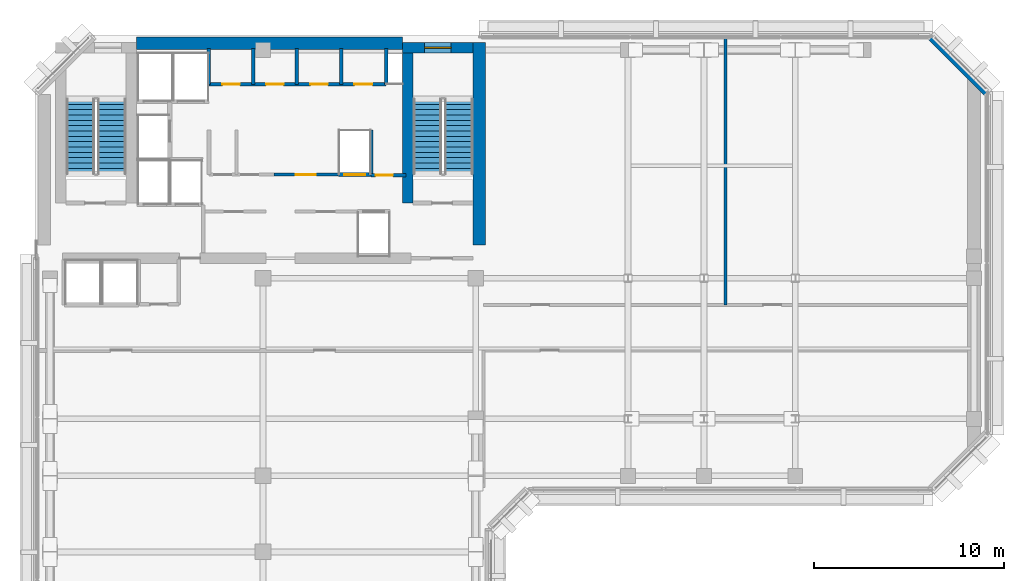
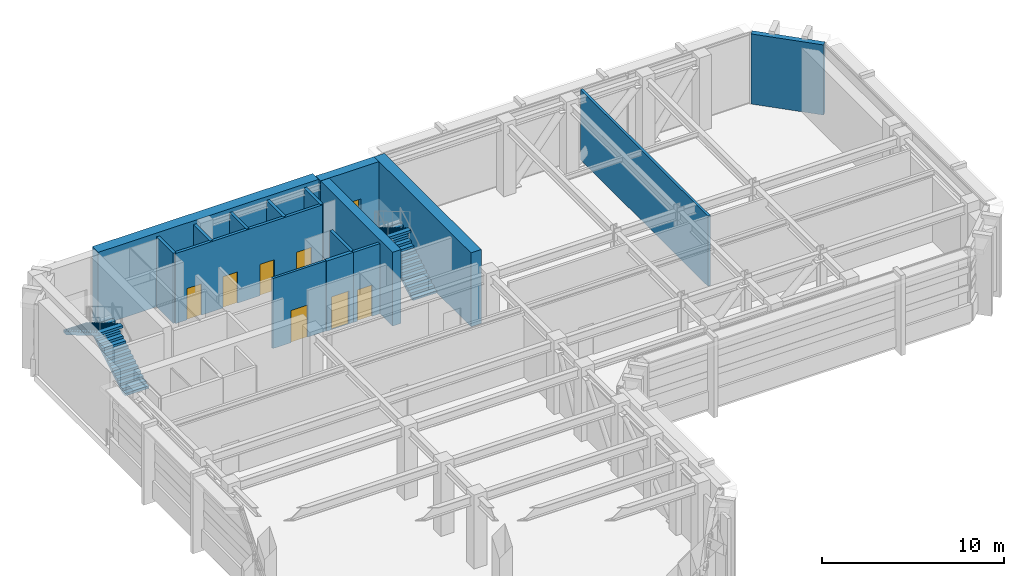
# One storey, part 7 of 11: 16 walls, 7 doors, 4 stair flights, 1 window, 8 openings, 2 elements without a shape of their own.
"""IFC4 building model written with IfcOpenShell, lengths in metres."""

from ifc_helpers import new_model, si_unit, direction, frame, frame_2d, origin, place, context, subcontext, project, spatial, polyline, rectangle, outline, extrude, material, layer, layer_set, type_object, element, fill, aggregate, save


model = new_model("IFC4")

# Units and contexts
model_context = context("Model", 3, precision=1e-05, world=origin(), true_north=direction((0.0, 1.0)))
body_context = subcontext(model_context, "Body", "Model", "MODEL_VIEW")
ifc_project = project(units=[si_unit("LENGTHUNIT", "METRE"), si_unit("AREAUNIT", "SQUARE_METRE"), si_unit("VOLUMEUNIT", "CUBIC_METRE"), si_unit("PLANEANGLEUNIT", "RADIAN"), si_unit("MASSUNIT", "GRAM", prefix="KILO")], contexts=[model_context])

# Site, building, storey
site_placement = place(None, origin())
site = spatial("IfcSite", under=ifc_project, at=site_placement, CompositionType="ELEMENT")
building_placement = place(site_placement, origin())
building = spatial("IfcBuilding", under=site, at=building_placement, Name="Kefirva Bronze Tower", CompositionType="ELEMENT")
storey_placement = place(building_placement, frame((0.0, 0.0, 251.4599609375)))
storey = spatial("IfcBuildingStorey", under=building, at=storey_placement, Name="L61", CompositionType="ELEMENT", Elevation=251.4599609375)

# Wall, opening, door
ifc_material_1 = material(Name="Gypsum acoustic partition")
ifc_layer_1 = layer(ifc_material_1, 0.14990234375, Name="Gypsum acoustic partition")
ifc_layer_set_1 = layer_set([ifc_layer_1], Name="Gypsum acoustic partition")
wall_type_1 = type_object("IfcWallType", Name="Executive Suite Partition 150mm", PredefinedType="PARTITIONING", material=ifc_layer_set_1)
wall_1_placement = place(storey_placement, frame((12.580078125, 38.64990234375, 0.0), z_axis=(0.0, 0.0, 1.0), x_axis=(1.0, 0.0, 0.0)))
wall_1 = element("IfcWall", 1, at=wall_1_placement, inside=storey, type_object=wall_type_1, Name="L61 Partition W-L61-RECMP2", PredefinedType="PARTITIONING", context=body_context, shape_type="SweptSolid", body=[
    extrude(rectangle(XDim=3.3798828125, YDim=0.14990234375, at=frame_2d((1.68994140625, 0.0))), origin(), (0.0, 0.0, 1.0), 4.699951171875),
])
opening_1_placement = place(wall_1_placement, frame((2.199951171875, 0.0, 0.0), z_axis=(0.0, 0.0, 1.0), x_axis=(-1.0, 0.0, 0.0)))
opening_1 = element("IfcOpeningElement", 2, at=opening_1_placement, cuts=wall_1, Name="Opening L61-D-RECMP2", PredefinedType="OPENING", context=body_context, shape_type="SweptSolid", body=[
    extrude(rectangle(XDim=1.050048828125, YDim=2.14990234375, at=frame_2d((0.52490234375, 1.074951171875))), frame((0.0, 0.0849609375, 0.0), z_axis=(0.0, -1.0, 0.0), x_axis=(1.0, 0.0, 0.0)), (0.0, 0.0, 1.0), 0.169921875),
])
ifc_material_2 = material(Name="Acoustic hardwood oak", Category="wood")
door_type_1 = type_object("IfcDoorType", Name="Executive & Boardroom Door 1050x2150", OperationType="NOTDEFINED", PredefinedType="DOOR", material=ifc_material_2)
door_1_placement = place(opening_1_placement, origin())
door_1 = element("IfcDoor", 3, at=door_1_placement, inside=storey, type_object=door_type_1, Name="Door L61-D-RECMP2", OperationType="SINGLE_SWING_LEFT", OverallHeight=2.14990234375, OverallWidth=1.050048828125, PredefinedType="DOOR", context=body_context, shape_type="SweptSolid", body=[
    extrude(rectangle(XDim=1.050048828125, YDim=2.14990234375, at=frame_2d((0.52490234375, 1.074951171875))), frame((0.0, 0.02490234375, 0.0), z_axis=(0.0, -1.0, 0.0), x_axis=(1.0, 0.0, 0.0)), (0.0, 0.0, 1.0), 0.050048828125),
])
fill(opening_1, door_1)

# Wall
ifc_material_3 = material(Name="Gypsum fireboard shaftwall")
ifc_layer_2 = layer(ifc_material_3, 0.219970703125, Name="Gypsum fireboard shaftwall")
ifc_layer_set_2 = layer_set([ifc_layer_2], Name="Gypsum fireboard shaftwall")
wall_type_2 = type_object("IfcWallType", Name="Fire-Rated Shaft Enclosure Wall 220mm", PredefinedType="PARTITIONING", material=ifc_layer_set_2)
wall_2_placement = place(storey_placement, frame((17.679931640625, 38.64990234375, 0.0), z_axis=(0.0, 0.0, 1.0), x_axis=(0.0, 1.0, 0.0)))
element("IfcWall", 4, at=wall_2_placement, inside=storey, type_object=wall_type_2, Name="L61 Partition W-L61-HP2E", PredefinedType="PARTITIONING", context=body_context, shape_type="SweptSolid", body=[
    extrude(rectangle(XDim=2.35009765625, YDim=0.199951171875, at=frame_2d((1.175048828125, 0.0))), origin(), (0.0, 0.0, 1.0), 4.699951171875),
])

# Wall, opening, door
wall_3_placement = place(storey_placement, frame((15.97998046875, 38.64990234375, 0.0), z_axis=(0.0, 0.0, 1.0), x_axis=(1.0, 0.0, 0.0)))
wall_3 = element("IfcWall", 5, at=wall_3_placement, inside=storey, type_object=wall_type_2, Name="L61 Partition W-L61-HPN", PredefinedType="PARTITIONING", context=body_context, shape_type="SweptSolid", body=[
    extrude(rectangle(XDim=1.719970703125, YDim=0.219970703125, at=frame_2d((0.85986328125, 0.0))), origin(), (0.0, 0.0, 1.0), 4.699951171875),
])
opening_2_placement = place(wall_3_placement, frame((0.300048828125, 0.0, 0.0)))
opening_2 = element("IfcOpeningElement", 6, at=opening_2_placement, cuts=wall_3, Name="Opening L61-LD-HP2", PredefinedType="OPENING", context=body_context, shape_type="SweptSolid", body=[
    extrude(rectangle(XDim=1.10009765625, YDim=2.199951171875, at=frame_2d((0.550048828125, 1.10009765625))), frame((0.0, 0.1201171875, 0.0), z_axis=(0.0, -1.0, 0.0), x_axis=(1.0, 0.0, 0.0)), (0.0, 0.0, 1.0), 0.239990234375),
])
ifc_material_4 = material(Name="Stainless steel 316", Category="steel")
door_type_2 = type_object("IfcDoorType", Name="Passenger Lift Sliding Landing Door 1100x2200", OperationType="SLIDING_TO_LEFT", PredefinedType="DOOR", material=ifc_material_4)
door_2_placement = place(opening_2_placement, origin())
door_2 = element("IfcDoor", 7, at=door_2_placement, inside=storey, type_object=door_type_2, Name="Door L61-LD-HP2", OperationType="SLIDING_TO_LEFT", OverallHeight=2.199951171875, OverallWidth=1.10009765625, PredefinedType="DOOR", context=body_context, shape_type="SweptSolid", body=[
    extrude(rectangle(XDim=1.10009765625, YDim=2.199951171875, at=frame_2d((0.550048828125, 1.10009765625))), frame((0.0, 0.02490234375, 0.0), z_axis=(0.0, -1.0, 0.0), x_axis=(1.0, 0.0, 0.0)), (0.0, 0.0, 1.0), 0.050048828125),
])
fill(opening_2, door_2)

ifc_material_5 = material(Name="Gypsum fireboard barrier")
ifc_layer_3 = layer(ifc_material_5, 0.199951171875, Name="Gypsum fireboard barrier")
ifc_layer_set_3 = layer_set([ifc_layer_3], Name="Gypsum fireboard barrier")
wall_type_3 = type_object("IfcWallType", Name="Firefighting Lobby Barrier Wall 200mm", PredefinedType="PARTITIONING", material=ifc_layer_set_3)
wall_4_placement = place(storey_placement, frame((17.679931640625, 38.6201171875, 0.0), z_axis=(0.0, 0.0, 1.0), x_axis=(1.0, 0.0, 0.0)))
wall_4 = element("IfcWall", 8, at=wall_4_placement, inside=storey, type_object=wall_type_3, Name="L61 Partition W-L61-CPASS", PredefinedType="PARTITIONING", context=body_context, shape_type="SweptSolid", body=[
    extrude(rectangle(XDim=1.840087890625, YDim=0.179931640625, at=frame_2d((0.919921875, 0.0))), origin(), (0.0, 0.0, 1.0), 4.699951171875),
])
opening_3_placement = place(wall_4_placement, frame((0.239990234375, 0.0, 0.0)))
opening_3 = element("IfcOpeningElement", 9, at=opening_3_placement, cuts=wall_4, Name="Opening L61-D-CPAS", PredefinedType="OPENING", context=body_context, shape_type="SweptSolid", body=[
    extrude(rectangle(XDim=0.919921875, YDim=2.10009765625, at=frame_2d((0.4599609375, 1.050048828125))), frame((0.0, 0.10009765625, 0.0), z_axis=(0.0, -1.0, 0.0), x_axis=(1.0, 0.0, 0.0)), (0.0, 0.0, 1.0), 0.199951171875),
])
ifc_material_6 = material(Name="Moisture-resistant timber", Category="wood")
door_type_3 = type_object("IfcDoorType", Name="Accessible Sanitary & WC Door 920x2100", OperationType="NOTDEFINED", PredefinedType="DOOR", material=ifc_material_6)
door_3_placement = place(opening_3_placement, origin())
door_3 = element("IfcDoor", 10, at=door_3_placement, inside=storey, type_object=door_type_3, Name="Door L61-D-CPAS", OperationType="SINGLE_SWING_LEFT", OverallHeight=2.10009765625, OverallWidth=0.919921875, PredefinedType="DOOR", context=body_context, shape_type="SweptSolid", body=[
    extrude(rectangle(XDim=0.919921875, YDim=2.10009765625, at=frame_2d((0.4599609375, 1.050048828125))), frame((0.0, 0.02490234375, 0.0), z_axis=(0.0, -1.0, 0.0), x_axis=(1.0, 0.0, 0.0)), (0.0, 0.0, 1.0), 0.050048828125),
])
fill(opening_3, door_3)

# Walls
ifc_material_7 = material(Name="Precast concrete C40/50", Category="concrete")
ifc_layer_4 = layer(ifc_material_7, 0.320068359375, Name="Precast concrete C40/50")
ifc_layer_set_4 = layer_set([ifc_layer_4], Name="Precast concrete C40/50")
wall_type_4 = type_object("IfcWallType", Name="Precast Insulated Exterior Wall 320mm", PredefinedType="SOLIDWALL", material=ifc_layer_set_4)
wall_5_placement = place(storey_placement, frame((50.048095703125, 42.92578125, 0.0), z_axis=(0.0, 0.0, 1.0), x_axis=(-0.707136318428, 0.707077242712, 0.0)))
element("IfcWall", 11, at=wall_5_placement, inside=storey, type_object=wall_type_4, Name="L61 Exterior Facade Wall 5", PredefinedType="SOLIDWALL", context=body_context, shape_type="SweptSolid", body=[
    extrude(rectangle(XDim=4.132568359375, YDim=0.320068359375, at=frame_2d((2.06640625, 0.0))), origin(), (0.0, 0.0, 1.0), 4.699951171875),
])
ifc_layer_5 = layer(ifc_material_1, 0.159912109375, Name="Gypsum acoustic partition")
ifc_layer_set_5 = layer_set([ifc_layer_5], Name="Gypsum acoustic partition")
wall_type_5 = type_object("IfcWallType", Name="Protected Corridor Partition 160mm", PredefinedType="PARTITIONING", material=ifc_layer_set_5)
wall_6_placement = place(storey_placement, frame((36.324951171875, 31.800048828125, 0.0), z_axis=(0.0, 0.0, 1.0), x_axis=(0.0, 1.0, 0.0)))
element("IfcWall", 12, at=wall_6_placement, inside=storey, type_object=wall_type_5, Name="L61 Partition W-L61-PLTDV", PredefinedType="PARTITIONING", context=body_context, shape_type="SweptSolid", body=[
    extrude(rectangle(XDim=14.010009765625, YDim=0.159912109375, at=frame_2d((7.0048828125, 0.0))), origin(), (0.0, 0.0, 1.0), 4.699951171875),
])

# Wall, opening, window
ifc_material_8 = material(Name="Concrete C50/60", Category="concrete")
ifc_layer_6 = layer(ifc_material_8, 0.550048828125, Name="Concrete C50/60")
ifc_layer_set_6 = layer_set([ifc_layer_6], Name="Concrete C50/60")
wall_type_6 = type_object("IfcWallType", Name="RC Rear Core Exterior Wall 550mm", PredefinedType="SHEAR", material=ifc_layer_set_6)
wall_7_placement = place(storey_placement, frame((19.35009765625, 45.320068359375, 0.0), z_axis=(0.0, 0.0, 1.0), x_axis=(1.0, 0.0, 0.0)))
wall_7 = element("IfcWall", 13, at=wall_7_placement, inside=storey, type_object=wall_type_6, Name="L61 Stair 2 North Shear Wall", PredefinedType="SHEAR", context=body_context, shape_type="SweptSolid", body=[
    extrude(rectangle(XDim=3.68994140625, YDim=0.550048828125, at=frame_2d((1.844970703125, 0.0))), origin(), (0.0, 0.0, 1.0), 4.949951171875),
])
opening_4_placement = place(wall_7_placement, frame((1.14990234375, 0.0, 1.050048828125)))
opening_4 = element("IfcOpeningElement", 14, at=opening_4_placement, cuts=wall_7, Name="Opening WN-03", PredefinedType="OPENING", context=body_context, shape_type="SweptSolid", body=[
    extrude(rectangle(XDim=1.39990234375, YDim=1.800048828125, at=frame_2d((0.699951171875, 0.89990234375))), frame((0.0, 0.28515625, 0.0), z_axis=(0.0, -1.0, 0.0), x_axis=(1.0, 0.0, 0.0)), (0.0, 0.0, 1.0), 0.570068359375),
])
ifc_material_9 = material(Name="Laminated low-E double glazing", Category="glass")
window_type = type_object("IfcWindowType", Name="Rear-Core Stair Daylight Window 1400x1800", PartitioningType="SINGLE_PANEL", PredefinedType="WINDOW", material=ifc_material_9)
window_placement = place(opening_4_placement, origin())
window = element("IfcWindow", 15, at=window_placement, inside=storey, type_object=window_type, Name="L61 Stair 2 Daylight Window", OverallHeight=1.800048828125, OverallWidth=1.39990234375, PartitioningType="SINGLE_PANEL", PredefinedType="WINDOW", context=body_context, shape_type="SweptSolid", body=[
    extrude(rectangle(XDim=1.39990234375, YDim=1.800048828125, at=frame_2d((0.699951171875, 0.89990234375))), frame((0.0, 0.030029296875, 0.0), z_axis=(0.0, -1.0, 0.0), x_axis=(1.0, 0.0, 0.0)), (0.0, 0.0, 1.0), 0.06005859375),
])
fill(opening_4, window)

# Walls
ifc_layer_7 = layer(ifc_material_8, 0.64990234375, Name="Concrete C50/60")
ifc_layer_set_7 = layer_set([ifc_layer_7], Name="Concrete C50/60")
wall_type_7 = type_object("IfcWallType", Name="RC Rear Core Exterior Wall 650mm", PredefinedType="SHEAR", material=ifc_layer_set_7)
wall_8_placement = place(storey_placement, frame((5.360107421875, 45.550048828125, 0.0), z_axis=(0.0, 0.0, 1.0), x_axis=(1.0, 0.0, 0.0)))
element("IfcWall", 16, at=wall_8_placement, inside=storey, type_object=wall_type_7, Name="L61 Rear Core North Shear Wall", PredefinedType="SHEAR", context=body_context, shape_type="SweptSolid", body=[
    extrude(rectangle(XDim=13.97998046875, YDim=0.64990234375, at=frame_2d((6.989990234375, 0.0))), origin(), (0.0, 0.0, 1.0), 4.949951171875),
])
ifc_layer_8 = layer(ifc_material_8, 0.550048828125, Name="Concrete C50/60")
ifc_layer_set_8 = layer_set([ifc_layer_8], Name="Concrete C50/60")
wall_type_8 = type_object("IfcWallType", Name="RC Rear Core Interior Wall 550mm", PredefinedType="SHEAR", material=ifc_layer_set_8)
wall_9_placement = place(storey_placement, frame((19.6201171875, 37.14990234375, 0.0), z_axis=(0.0, 0.0, 1.0), x_axis=(0.0, 1.0, 0.0)))
element("IfcWall", 17, at=wall_9_placement, inside=storey, type_object=wall_type_8, Name="L61 Stair 2 West Shear Wall", PredefinedType="SHEAR", context=body_context, shape_type="SweptSolid", body=[
    extrude(rectangle(XDim=7.89013671875, YDim=0.550048828125, at=frame_2d((3.945068359375, 0.0))), origin(), (0.0, 0.0, 1.0), 4.949951171875),
])
ifc_layer_9 = layer(ifc_material_8, 0.64990234375, Name="Concrete C50/60")
ifc_layer_set_9 = layer_set([ifc_layer_9], Name="Concrete C50/60")
wall_type_9 = type_object("IfcWallType", Name="RC Rear Core Interior Wall 650mm", PredefinedType="SHEAR", material=ifc_layer_set_9)
wall_10_placement = place(storey_placement, frame((23.375, 34.949951171875, 0.0), z_axis=(0.0, 0.0, 1.0), x_axis=(0.0, 1.0, 0.0)))
element("IfcWall", 18, at=wall_10_placement, inside=storey, type_object=wall_type_9, Name="L61 Rear Core East Shear Wall", PredefinedType="SHEAR", context=body_context, shape_type="SweptSolid", body=[
    extrude(rectangle(XDim=10.64013671875, YDim=0.64990234375, at=frame_2d((5.320068359375, 0.0))), origin(), (0.0, 0.0, 1.0), 4.949951171875),
])

# Wall, openings, doors
ifc_material_10 = material(Name="Moisture-resistant partition")
ifc_layer_10 = layer(ifc_material_10, 0.179931640625, Name="Moisture-resistant partition")
ifc_layer_set_10 = layer_set([ifc_layer_10], Name="Moisture-resistant partition")
wall_type_10 = type_object("IfcWallType", Name="Sanitary Plumbing Chase Wall 180mm", PredefinedType="PLUMBINGWALL", material=ifc_layer_set_10)
wall_11_placement = place(storey_placement, frame((9.14990234375, 43.39990234375, 0.0), z_axis=(0.0, 0.0, 1.0), x_axis=(1.0, 0.0, 0.0)))
wall_11 = element("IfcWall", 19, at=wall_11_placement, inside=storey, type_object=wall_type_10, Name="L61 Partition W-L61-SVCS", PredefinedType="PLUMBINGWALL", context=body_context, shape_type="SweptSolid", body=[
    extrude(rectangle(XDim=9.330078125, YDim=0.179931640625, at=frame_2d((4.6650390625, 0.0))), origin(), (0.0, 0.0, 1.0), 4.699951171875),
])
opening_5_placement = place(wall_11_placement, frame((0.719970703125, 0.0, 0.0)))
opening_5 = element("IfcOpeningElement", 20, at=opening_5_placement, cuts=wall_11, Name="Opening L61-D-CSVC1", PredefinedType="OPENING", context=body_context, shape_type="SweptSolid", body=[
    extrude(rectangle(XDim=0.919921875, YDim=2.10009765625, at=frame_2d((0.4599609375, 1.050048828125))), frame((0.0, 0.10009765625, 0.0), z_axis=(0.0, -1.0, 0.0), x_axis=(1.0, 0.0, 0.0)), (0.0, 0.0, 1.0), 0.199951171875),
])
opening_6_placement = place(wall_11_placement, frame((3.02001953125, 0.0, 0.0)))
opening_6 = element("IfcOpeningElement", 21, at=opening_6_placement, cuts=wall_11, Name="Opening L61-D-CSVC2", PredefinedType="OPENING", context=body_context, shape_type="SweptSolid", body=[
    extrude(rectangle(XDim=0.919921875, YDim=2.10009765625, at=frame_2d((0.4599609375, 1.050048828125))), frame((0.0, 0.10009765625, 0.0), z_axis=(0.0, -1.0, 0.0), x_axis=(1.0, 0.0, 0.0)), (0.0, 0.0, 1.0), 0.199951171875),
])
opening_7_placement = place(wall_11_placement, frame((5.340087890625, 0.0, 0.0)))
opening_7 = element("IfcOpeningElement", 22, at=opening_7_placement, cuts=wall_11, Name="Opening L61-D-CSVC3", PredefinedType="OPENING", context=body_context, shape_type="SweptSolid", body=[
    extrude(rectangle(XDim=0.919921875, YDim=2.10009765625, at=frame_2d((0.4599609375, 1.050048828125))), frame((0.0, 0.10009765625, 0.0), z_axis=(0.0, -1.0, 0.0), x_axis=(1.0, 0.0, 0.0)), (0.0, 0.0, 1.0), 0.199951171875),
])
opening_8_placement = place(wall_11_placement, frame((7.659912109375, 0.0, 0.0)))
opening_8 = element("IfcOpeningElement", 23, at=opening_8_placement, cuts=wall_11, Name="Opening L61-D-CSVC4", PredefinedType="OPENING", context=body_context, shape_type="SweptSolid", body=[
    extrude(rectangle(XDim=0.949951171875, YDim=2.10009765625, at=frame_2d((0.47509765625, 1.050048828125))), frame((0.0, 0.10009765625, 0.0), z_axis=(0.0, -1.0, 0.0), x_axis=(1.0, 0.0, 0.0)), (0.0, 0.0, 1.0), 0.199951171875),
])
door_4_placement = place(opening_5_placement, origin())
door_4 = element("IfcDoor", 24, at=door_4_placement, inside=storey, type_object=door_type_3, Name="Door L61-D-CSVC1", OperationType="SINGLE_SWING_RIGHT", OverallHeight=2.10009765625, OverallWidth=0.919921875, PredefinedType="DOOR", context=body_context, shape_type="SweptSolid", body=[
    extrude(rectangle(XDim=0.919921875, YDim=2.10009765625, at=frame_2d((0.4599609375, 1.050048828125))), frame((0.0, 0.02490234375, 0.0), z_axis=(0.0, -1.0, 0.0), x_axis=(1.0, 0.0, 0.0)), (0.0, 0.0, 1.0), 0.050048828125),
])
fill(opening_5, door_4)
door_5_placement = place(opening_6_placement, origin())
door_5 = element("IfcDoor", 25, at=door_5_placement, inside=storey, type_object=door_type_3, Name="Door L61-D-CSVC2", OperationType="SINGLE_SWING_LEFT", OverallHeight=2.10009765625, OverallWidth=0.919921875, PredefinedType="DOOR", context=body_context, shape_type="SweptSolid", body=[
    extrude(rectangle(XDim=0.919921875, YDim=2.10009765625, at=frame_2d((0.4599609375, 1.050048828125))), frame((0.0, 0.02490234375, 0.0), z_axis=(0.0, -1.0, 0.0), x_axis=(1.0, 0.0, 0.0)), (0.0, 0.0, 1.0), 0.050048828125),
])
fill(opening_6, door_5)
door_6_placement = place(opening_7_placement, origin())
door_6 = element("IfcDoor", 26, at=door_6_placement, inside=storey, type_object=door_type_3, Name="Door L61-D-CSVC3", OperationType="SINGLE_SWING_RIGHT", OverallHeight=2.10009765625, OverallWidth=0.919921875, PredefinedType="DOOR", context=body_context, shape_type="SweptSolid", body=[
    extrude(rectangle(XDim=0.919921875, YDim=2.10009765625, at=frame_2d((0.4599609375, 1.050048828125))), frame((0.0, 0.02490234375, 0.0), z_axis=(0.0, -1.0, 0.0), x_axis=(1.0, 0.0, 0.0)), (0.0, 0.0, 1.0), 0.050048828125),
])
fill(opening_7, door_6)
ifc_material_11 = material(Name="Painted galvanized steel", Category="steel")
door_type_4 = type_object("IfcDoorType", Name="Riser & Plant Shaft Fire Door 950x2100 FD60S", OperationType="NOTDEFINED", PredefinedType="DOOR", material=ifc_material_11)
door_7_placement = place(opening_8_placement, origin())
door_7 = element("IfcDoor", 27, at=door_7_placement, inside=storey, type_object=door_type_4, Name="Door L61-D-CSVC4", OperationType="SINGLE_SWING_LEFT", OverallHeight=2.10009765625, OverallWidth=0.949951171875, PredefinedType="DOOR", context=body_context, shape_type="SweptSolid", body=[
    extrude(rectangle(XDim=0.949951171875, YDim=2.10009765625, at=frame_2d((0.47509765625, 1.050048828125))), frame((0.0, 0.02490234375, 0.0), z_axis=(0.0, -1.0, 0.0), x_axis=(1.0, 0.0, 0.0)), (0.0, 0.0, 1.0), 0.050048828125),
])
fill(opening_8, door_7)

# Walls
for number, where, z_axis, x_axis, name in (
    (28, (9.14990234375, 43.39990234375, 0.0), (0.0, 0.0, 1.0), (0.0, 1.0, 0.0), "L61 Partition W-L61-SVCW"),
    (29, (18.47998046875, 43.39990234375, 0.0), (0.0, 0.0, 1.0), (0.0, 1.0, 0.0), "L61 Partition W-L61-SVCE"),
    (30, (11.47998046875, 43.39990234375, 0.0), (0.0, 0.0, 1.0), (0.0, 1.0, 0.0), "L61 Partition W-L61-CSVD-1"),
    (31, (13.780029296875, 43.39990234375, 0.0), (0.0, 0.0, 1.0), (0.0, 1.0, 0.0), "L61 Partition W-L61-CSVD-2"),
    (32, (16.1201171875, 43.39990234375, 0.0), (0.0, 0.0, 1.0), (0.0, 1.0, 0.0), "L61 Partition W-L61-CSVD-3"),
):
    element("IfcWall", number, at=place(storey_placement, frame(where, z_axis=z_axis, x_axis=x_axis)), inside=storey, type_object=wall_type_10, Name=name, PredefinedType="PLUMBINGWALL", context=body_context, shape_type="SweptSolid", body=[
        extrude(rectangle(XDim=1.880126953125, YDim=0.179931640625, at=frame_2d((0.93994140625, 0.0))), origin(), (0.0, 0.0, 1.0), 4.699951171875),
    ])

# Stair, stair flights
ifc_material_12 = material(Name="Concrete C40/50", Category="concrete")
stair_type = type_object("IfcStairType", Name="RC Dogleg Protected Stair 24R", PredefinedType="HALF_TURN_STAIR", material=ifc_material_12)
stair_1_placement = place(storey_placement, origin())
stair_1 = element("IfcStair", 33, at=stair_1_placement, inside=storey, type_object=stair_type, Name="L61 Protected Exit Stair 1", PredefinedType="HALF_TURN_STAIR")
stair_flight_type = type_object("IfcStairFlightType", Name="RC Straight Stair Flight 24R", PredefinedType="STRAIGHT", material=ifc_material_12)
stair_flight_1_placement = place(storey_placement, frame((4.050048828125, 38.699951171875, 0.0), z_axis=(0.0, 0.0, 1.0), x_axis=(0.0, 1.0, 0.0)))
stair_flight_1 = element("IfcStairFlight", 34, at=stair_flight_1_placement, type_object=stair_flight_type, Name="ST-1 flight 1", NumberOfRisers=15, NumberOfTreads=14, PredefinedType="STRAIGHT", RiserHeight=0.165, TreadLength=0.28, context=body_context, shape_type="SweptSolid", body=[
    extrude(outline(polyline([(0.0, 0.0), (0.0, 0.1650390625), (0.280029296875, 0.1650390625), (0.280029296875, 0.330078125), (0.56005859375, 0.330078125), (0.56005859375, 0.4951171875), (0.840087890625, 0.4951171875), (0.840087890625, 0.659912109375), (1.1201171875, 0.659912109375), (1.1201171875, 0.824951171875), (1.39990234375, 0.824951171875), (1.39990234375, 0.989990234375), (1.679931640625, 0.989990234375), (1.679931640625, 1.155029296875), (1.9599609375, 1.155029296875), (1.9599609375, 1.320068359375), (2.239990234375, 1.320068359375), (2.239990234375, 1.485107421875), (2.52001953125, 1.485107421875), (2.52001953125, 1.64990234375), (2.800048828125, 1.64990234375), (2.800048828125, 1.81494140625), (3.080078125, 1.81494140625), (3.080078125, 1.97998046875), (3.360107421875, 1.97998046875), (3.360107421875, 2.14501953125), (3.639892578125, 2.14501953125), (3.639892578125, 2.31005859375), (3.919921875, 2.31005859375), (3.919921875, 2.47509765625), (3.919921875, 2.135986328125), (0.295166015625, 0.0), (0.0, 0.0)])), frame((0.0, 0.75, 0.0), z_axis=(0.0, -1.0, 0.0), x_axis=(1.0, 0.0, 0.0)), (0.0, 0.0, 1.0), 1.5),
])
stair_flight_2_placement = place(storey_placement, frame((2.39990234375, 42.6201171875, 2.47509765625), z_axis=(0.0, 0.0, 1.0), x_axis=(0.0, -1.0, 0.0)))
stair_flight_2 = element("IfcStairFlight", 35, at=stair_flight_2_placement, type_object=stair_flight_type, Name="ST-1 flight 2", NumberOfRisers=15, NumberOfTreads=14, PredefinedType="STRAIGHT", RiserHeight=0.165, TreadLength=0.28, context=body_context, shape_type="SweptSolid", body=[
    extrude(outline(polyline([(0.0, 0.0), (0.0, 0.1650390625), (0.280029296875, 0.1650390625), (0.280029296875, 0.330078125), (0.56005859375, 0.330078125), (0.56005859375, 0.4951171875), (0.840087890625, 0.4951171875), (0.840087890625, 0.659912109375), (1.1201171875, 0.659912109375), (1.1201171875, 0.824951171875), (1.39990234375, 0.824951171875), (1.39990234375, 0.989990234375), (1.679931640625, 0.989990234375), (1.679931640625, 1.155029296875), (1.9599609375, 1.155029296875), (1.9599609375, 1.320068359375), (2.239990234375, 1.320068359375), (2.239990234375, 1.485107421875), (2.52001953125, 1.485107421875), (2.52001953125, 1.64990234375), (2.800048828125, 1.64990234375), (2.800048828125, 1.81494140625), (3.080078125, 1.81494140625), (3.080078125, 1.97998046875), (3.360107421875, 1.97998046875), (3.360107421875, 2.14501953125), (3.639892578125, 2.14501953125), (3.639892578125, 2.31005859375), (3.919921875, 2.31005859375), (3.919921875, 2.47509765625), (3.919921875, 2.135986328125), (0.295166015625, 0.0), (0.0, 0.0)])), frame((0.0, 0.75, 0.0), z_axis=(0.0, -1.0, 0.0), x_axis=(1.0, 0.0, 0.0)), (0.0, 0.0, 1.0), 1.5),
])
aggregate(stair_1, [stair_flight_1, stair_flight_2])

stair_2_placement = place(storey_placement, origin())
stair_2 = element("IfcStair", 36, at=stair_2_placement, inside=storey, type_object=stair_type, Name="L61 Protected Exit Stair 2", PredefinedType="HALF_TURN_STAIR")
stair_flight_3_placement = place(storey_placement, frame((22.300048828125, 38.699951171875, 0.0), z_axis=(0.0, 0.0, 1.0), x_axis=(0.0, 1.0, 0.0)))
stair_flight_3 = element("IfcStairFlight", 37, at=stair_flight_3_placement, type_object=stair_flight_type, Name="ST-2 flight 1", NumberOfRisers=15, NumberOfTreads=14, PredefinedType="STRAIGHT", RiserHeight=0.165, TreadLength=0.28, context=body_context, shape_type="SweptSolid", body=[
    extrude(outline(polyline([(0.0, 0.0), (0.0, 0.1650390625), (0.280029296875, 0.1650390625), (0.280029296875, 0.330078125), (0.56005859375, 0.330078125), (0.56005859375, 0.4951171875), (0.840087890625, 0.4951171875), (0.840087890625, 0.659912109375), (1.1201171875, 0.659912109375), (1.1201171875, 0.824951171875), (1.39990234375, 0.824951171875), (1.39990234375, 0.989990234375), (1.679931640625, 0.989990234375), (1.679931640625, 1.155029296875), (1.9599609375, 1.155029296875), (1.9599609375, 1.320068359375), (2.239990234375, 1.320068359375), (2.239990234375, 1.485107421875), (2.52001953125, 1.485107421875), (2.52001953125, 1.64990234375), (2.800048828125, 1.64990234375), (2.800048828125, 1.81494140625), (3.080078125, 1.81494140625), (3.080078125, 1.97998046875), (3.360107421875, 1.97998046875), (3.360107421875, 2.14501953125), (3.639892578125, 2.14501953125), (3.639892578125, 2.31005859375), (3.919921875, 2.31005859375), (3.919921875, 2.47509765625), (3.919921875, 2.135986328125), (0.295166015625, 0.0), (0.0, 0.0)])), frame((0.0, 0.75, 0.0), z_axis=(0.0, -1.0, 0.0), x_axis=(1.0, 0.0, 0.0)), (0.0, 0.0, 1.0), 1.5),
])
stair_flight_4_placement = place(storey_placement, frame((20.64990234375, 42.6201171875, 2.47509765625), z_axis=(0.0, 0.0, 1.0), x_axis=(0.0, -1.0, 0.0)))
stair_flight_4 = element("IfcStairFlight", 38, at=stair_flight_4_placement, type_object=stair_flight_type, Name="ST-2 flight 2", NumberOfRisers=15, NumberOfTreads=14, PredefinedType="STRAIGHT", RiserHeight=0.165, TreadLength=0.28, context=body_context, shape_type="SweptSolid", body=[
    extrude(outline(polyline([(0.0, 0.0), (0.0, 0.1650390625), (0.280029296875, 0.1650390625), (0.280029296875, 0.330078125), (0.56005859375, 0.330078125), (0.56005859375, 0.4951171875), (0.840087890625, 0.4951171875), (0.840087890625, 0.659912109375), (1.1201171875, 0.659912109375), (1.1201171875, 0.824951171875), (1.39990234375, 0.824951171875), (1.39990234375, 0.989990234375), (1.679931640625, 0.989990234375), (1.679931640625, 1.155029296875), (1.9599609375, 1.155029296875), (1.9599609375, 1.320068359375), (2.239990234375, 1.320068359375), (2.239990234375, 1.485107421875), (2.52001953125, 1.485107421875), (2.52001953125, 1.64990234375), (2.800048828125, 1.64990234375), (2.800048828125, 1.81494140625), (3.080078125, 1.81494140625), (3.080078125, 1.97998046875), (3.360107421875, 1.97998046875), (3.360107421875, 2.14501953125), (3.639892578125, 2.14501953125), (3.639892578125, 2.31005859375), (3.919921875, 2.31005859375), (3.919921875, 2.47509765625), (3.919921875, 2.135986328125), (0.295166015625, 0.0), (0.0, 0.0)])), frame((0.0, 0.75, 0.0), z_axis=(0.0, -1.0, 0.0), x_axis=(1.0, 0.0, 0.0)), (0.0, 0.0, 1.0), 1.5),
])
aggregate(stair_2, [stair_flight_3, stair_flight_4])

save(model, "model.ifc")
